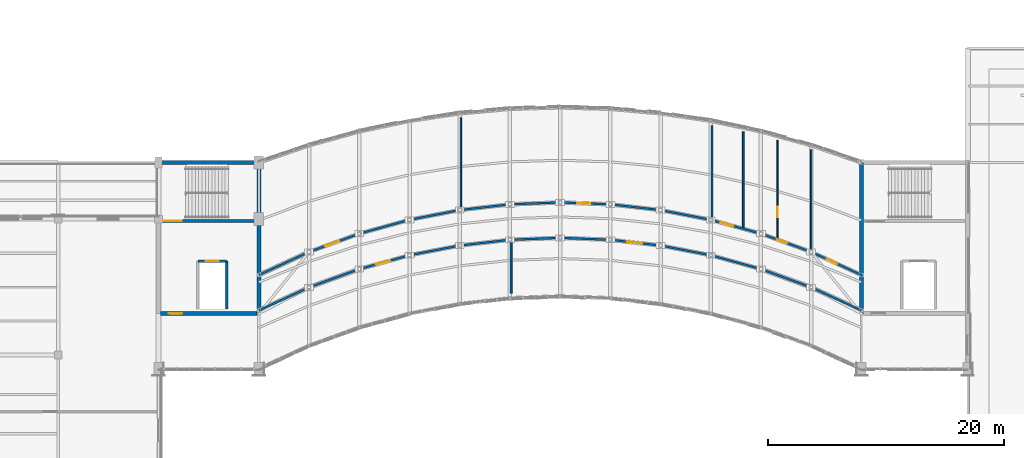
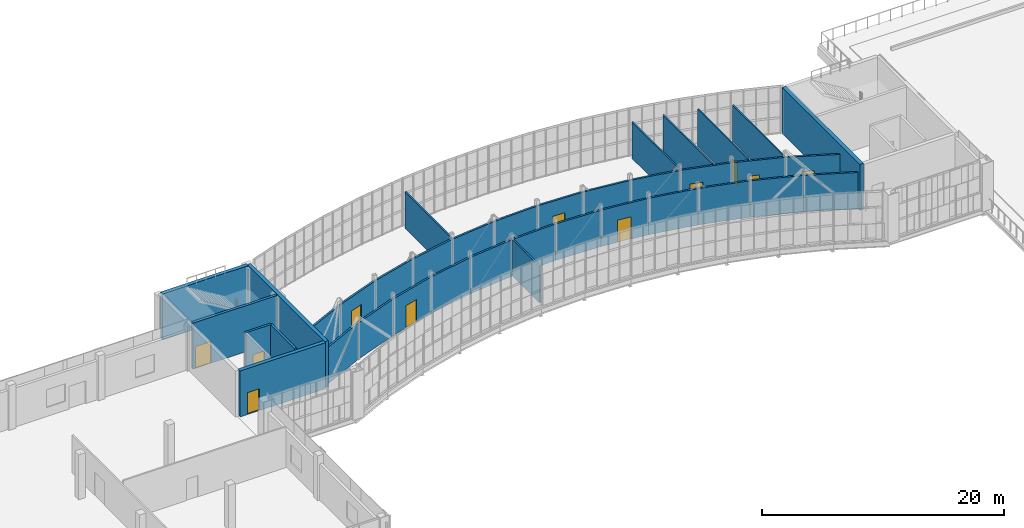
# One storey, part 54 of 66: 37 walls, 11 doors, 11 openings.
"""IFC4 building model written with IfcOpenShell, lengths in metres."""

import ifcopenshell
import ifcopenshell.guid

model = None  # the IFC model being written
_history = None  # IfcOwnerHistory: only IFC2X3 demands one
_inside = {}  # id of a spatial element -> (the spatial element, [elements in it])
_under = {}  # id of a project, library or spatial element -> (it, [spatial elements below it])
_declared = {}  # id of a project -> (the project, [libraries it declares])
_typed = {}  # id of a type object -> (the type object, [elements of that type])
_made_of = {}  # id of a material, layer set ... -> (it, [elements and type objects made of it])


def new_model(schema):
    """Start an empty IFC model of exactly this schema.

    Asked for "IFC4X3", IfcOpenShell would pick the latest addendum, in which some entities
    have other attributes; the version numbers below select the first issue.
    IFC2X3 requires an IfcOwnerHistory on every rooted entity: one is made here for all.
    """
    global model, _history
    if schema == "IFC4X3":
        model = ifcopenshell.file(schema_version=(4, 3, 0, 0))
    else:
        model = ifcopenshell.file(schema=schema)
    _inside.clear()
    _under.clear()
    _declared.clear()
    _typed.clear()
    _made_of.clear()
    _history = None
    if model.schema == "IFC2X3":
        org = make("IfcOrganization", Name="unknown")
        user = make(
            "IfcPersonAndOrganization",
            ThePerson=make("IfcPerson", FamilyName="unknown"),
            TheOrganization=org,
        )
        app = make(
            "IfcApplication",
            ApplicationDeveloper=org,
            Version="unknown",
            ApplicationFullName="unknown",
            ApplicationIdentifier="unknown",
        )
        _history = make(
            "IfcOwnerHistory",
            OwningUser=user,
            OwningApplication=app,
            ChangeAction="ADDED",
            CreationDate=0,
        )
    return model


def make(cls, **values):
    """One entity of the class cls with the attributes given. An attribute that is None is left unset."""
    return model.create_entity(
        cls, **{name: value for name, value in values.items() if value is not None}
    )


def rooted(cls, **values):
    """An entity with a GlobalId (a new one), such as an element, a storey or a relation."""
    return make(cls, GlobalId=ifcopenshell.guid.new(), OwnerHistory=_history, **values)


def si_unit(unit_type, name, prefix=None):
    """IfcSIUnit, for example si_unit("LENGTHUNIT", "METRE", prefix="MILLI")."""
    return make("IfcSIUnit", UnitType=unit_type, Prefix=prefix, Name=name)


def assignment(units):
    """IfcUnitAssignment: the units of a project."""
    return None if units is None else make("IfcUnitAssignment", Units=units)


def point(xyz):
    """IfcCartesianPoint."""
    return None if xyz is None else make("IfcCartesianPoint", Coordinates=xyz)


def direction(xyz):
    """IfcDirection."""
    return None if xyz is None else make("IfcDirection", DirectionRatios=xyz)


def frame(location, z_axis=None, x_axis=None):
    """IfcAxis2Placement3D, a coordinate frame: its origin and axes. An axis left out is left unset."""
    return make(
        "IfcAxis2Placement3D",
        Location=point(location),
        Axis=direction(z_axis),
        RefDirection=direction(x_axis),
    )


def frame_2d(location, x_axis=None):
    """IfcAxis2Placement2D, a coordinate frame in the plane: its origin and x axis."""
    return make(
        "IfcAxis2Placement2D", Location=point(location), RefDirection=direction(x_axis)
    )


def origin():
    """The frame at (0, 0, 0) with its axes left unset."""
    return frame((0.0, 0.0, 0.0))


def place(relative_to, where):
    """IfcLocalPlacement: puts the frame where relative to a parent placement (None: the world)."""
    return make(
        "IfcLocalPlacement", PlacementRelTo=relative_to, RelativePlacement=where
    )


def context(
    kind, dimensions, precision=None, world=None, true_north=None, identifier=None
):
    """IfcGeometricRepresentationContext, for example the 3D "Model" context."""
    return make(
        "IfcGeometricRepresentationContext",
        ContextIdentifier=identifier,
        ContextType=kind,
        CoordinateSpaceDimension=dimensions,
        Precision=precision,
        WorldCoordinateSystem=world,
        TrueNorth=true_north,
    )


def subcontext(parent, identifier, kind, view, scale=None):
    """IfcGeometricRepresentationSubContext, for example "Body" below "Model"."""
    return make(
        "IfcGeometricRepresentationSubContext",
        ContextIdentifier=identifier,
        ContextType=kind,
        ParentContext=parent,
        TargetScale=scale,
        TargetView=view,
    )


def project(units=None, contexts=None):
    """IfcProject with its units and contexts."""
    return rooted(
        "IfcProject",
        Name="project",
        RepresentationContexts=contexts,
        UnitsInContext=assignment(units),
    )


def spatial(cls, under=None, at=None, **own):
    """A site, building, storey or space (cls), placed at a placement, below another one or the project."""
    s = rooted(cls, ObjectPlacement=at, **own)
    if under is not None:
        _under.setdefault(under.id(), (under, []))[1].append(s)
    return s


def profile(cls, at=None, kind="AREA", **sizes):
    """A parametric profile (cls). Its sizes go by their IFC names, for example OverallWidth=200.0."""
    return make(cls, ProfileType=kind, Position=at, **sizes)


def rectangle(**sizes):
    """IfcRectangleProfileDef."""
    return profile("IfcRectangleProfileDef", **sizes)


def extrude(swept, where, along, depth):
    """IfcExtrudedAreaSolid: the profile swept, set in the frame where, extruded along a direction by depth."""
    return make(
        "IfcExtrudedAreaSolid",
        SweptArea=swept,
        Position=where,
        ExtrudedDirection=direction(along),
        Depth=depth,
    )


def shape(context_of_items, identifier, shape_type, items):
    """IfcShapeRepresentation: the items that make up one representation, for example the "Body"."""
    return make(
        "IfcShapeRepresentation",
        ContextOfItems=context_of_items,
        RepresentationIdentifier=identifier,
        RepresentationType=shape_type,
        Items=items,
    )


def material(Name=None, Category=None):
    """IfcMaterial."""
    return make("IfcMaterial", Name=Name, Category=Category)


def layer(
    of_material, thickness, ventilated=None, Name=None, Category=None, Priority=None
):
    """IfcMaterialLayer: one layer of a wall or slab, of a material (None: an air gap)."""
    return make(
        "IfcMaterialLayer",
        Material=of_material,
        LayerThickness=thickness,
        IsVentilated=ventilated,
        Name=Name,
        Category=Category,
        Priority=Priority,
    )


def layer_set(layers, Name=None):
    """IfcMaterialLayerSet."""
    return make("IfcMaterialLayerSet", MaterialLayers=layers, LayerSetName=Name)


def made_of(thing, what):
    """Note that an element or type object is made of a material, layer set ...; save() writes the relation."""
    if what is not None:
        _made_of.setdefault(what.id(), (what, []))[1].append(thing)
    return thing


def type_object(cls, material=None, **own):
    """A type object (cls), such as IfcWallType, which elements share."""
    return made_of(rooted(cls, **own), material)


def element(
    cls,
    number,
    at=None,
    inside=None,
    cuts=None,
    type_object=None,
    material=None,
    context=None,
    identifier="Body",
    shape_type=None,
    held_by="IfcProductDefinitionShape",
    body=None,
    shapes=None,
    **own,
):
    """One element of the class cls, such as IfcWall. Its Tag is "e" and its number.

    at: its placement. inside: the storey or other place that contains it. cuts: it is an
    opening in that element (IfcRelVoidsElement). A single representation is given by context,
    identifier, shape_type and body (its items); several are given by shapes. held_by: the class
    of the entity that holds the representations. save() writes the other relations.
    """
    e = rooted(cls, Tag="e%d" % number, ObjectPlacement=at, **own)
    if body is not None:
        shapes = [shape(context, identifier, shape_type, body)]
    if shapes is not None:
        e.Representation = make(held_by, Representations=shapes)
    if inside is not None:
        _inside.setdefault(inside.id(), (inside, []))[1].append(e)
    if cuts is not None:
        rooted(
            "IfcRelVoidsElement", RelatingBuildingElement=cuts, RelatedOpeningElement=e
        )
    if type_object is not None:
        _typed.setdefault(type_object.id(), (type_object, []))[1].append(e)
    return made_of(e, material)


def fill(opening, filler):
    """IfcRelFillsElement: the door or window that sits in an opening."""
    return rooted(
        "IfcRelFillsElement",
        RelatingOpeningElement=opening,
        RelatedBuildingElement=filler,
    )


def aggregate(whole, parts):
    """IfcRelAggregates: a whole, such as a stair, and the parts it consists of."""
    return rooted("IfcRelAggregates", RelatingObject=whole, RelatedObjects=parts)


def save(model, path):
    """Write the relations noted so far, then the file.

    IfcRelAggregates (storeys below a building ...), IfcRelContainedInSpatialStructure (elements
    in a storey), IfcRelDefinesByType, IfcRelAssociatesMaterial and IfcRelDeclares: one each for
    every whole, place, type object, material and project.
    """
    for whole, parts in _under.values():
        aggregate(whole, parts)
    for where, things in _inside.values():
        rooted(
            "IfcRelContainedInSpatialStructure",
            RelatedElements=things,
            RelatingStructure=where,
        )
    for kind, things in _typed.values():
        rooted("IfcRelDefinesByType", RelatedObjects=things, RelatingType=kind)
    for what, things in _made_of.values():
        rooted("IfcRelAssociatesMaterial", RelatedObjects=things, RelatingMaterial=what)
    for by, libraries in _declared.values():
        rooted("IfcRelDeclares", RelatingContext=by, RelatedDefinitions=libraries)
    model.write(path)


model = new_model("IFC4")

# Units and contexts
model_context = context("Model", 3, precision=1e-05, world=origin(), true_north=direction((0.0, 1.0)))
body_context = subcontext(model_context, "Body", "Model", "MODEL_VIEW")
ifc_project = project(units=[si_unit("LENGTHUNIT", "METRE"), si_unit("AREAUNIT", "SQUARE_METRE"), si_unit("VOLUMEUNIT", "CUBIC_METRE"), si_unit("PLANEANGLEUNIT", "RADIAN"), si_unit("MASSUNIT", "GRAM", prefix="KILO")], contexts=[model_context])

# Site, building, storey
site_placement = place(None, origin())
site = spatial("IfcSite", under=ifc_project, at=site_placement, CompositionType="ELEMENT")
building_placement = place(site_placement, origin())
building = spatial("IfcBuilding", under=site, at=building_placement, Name="Solvikara Media Centre", CompositionType="ELEMENT")
storey_placement = place(building_placement, frame((0.0, 0.0, 19.800048828125)))
storey = spatial("IfcBuildingStorey", under=building, at=storey_placement, Name="L04", CompositionType="ELEMENT", Elevation=19.800048828125)

# Walls
ifc_material_1 = material(Name="Concrete fc' 45 MPa (C45/55)", Category="concrete")
ifc_layer_1 = layer(ifc_material_1, 0.35009765625)
ifc_layer_set_1 = layer_set([ifc_layer_1], Name="Concrete fc' 45 MPa (C45/55)")
wall_type_1 = type_object("IfcWallType", Name="WT-03", PredefinedType="SHEAR", material=ifc_layer_set_1)
wall_1_placement = place(storey_placement, frame((76.5, 24.0, 0.0), z_axis=(0.0, 0.0, 1.0), x_axis=(0.0, 1.0, 0.0)))
element("IfcWall", 1, at=wall_1_placement, inside=storey, type_object=wall_type_1, Name="CW-C3-L04-E", PredefinedType="SHEAR", context=body_context, shape_type="SweptSolid", body=[
    extrude(rectangle(XDim=12.800048828125, YDim=0.35009765625, at=frame_2d((6.39990234375, 0.0))), origin(), (0.0, 0.0, 1.0), 4.639892578125),
])
wall_2_placement = place(storey_placement, frame((68.175048828125, 36.800048828125, 0.0), z_axis=(0.0, 0.0, 1.0), x_axis=(1.0, 0.0, 0.0)))
element("IfcWall", 2, at=wall_2_placement, inside=storey, type_object=wall_type_1, Name="CW-C3-L04-N", PredefinedType="SHEAR", context=body_context, shape_type="SweptSolid", body=[
    extrude(rectangle(XDim=8.14990234375, YDim=0.35009765625, at=frame_2d((4.074951171875, 0.0))), origin(), (0.0, 0.0, 1.0), 4.639892578125),
])

# Wall, opening, door
wall_3_placement = place(storey_placement, frame((68.175048828125, 24.0, 0.0), z_axis=(0.0, 0.0, 1.0), x_axis=(1.0, 0.0, 0.0)))
wall_3 = element("IfcWall", 3, at=wall_3_placement, inside=storey, type_object=wall_type_1, Name="CW-C3-L04-S", PredefinedType="SHEAR", context=body_context, shape_type="SweptSolid", body=[
    extrude(rectangle(XDim=8.14990234375, YDim=0.35009765625, at=frame_2d((4.074951171875, 0.0))), origin(), (0.0, 0.0, 1.0), 4.639892578125),
])
opening_1_placement = place(wall_3_placement, frame((0.699951171875, 0.0, 0.0)))
opening_1 = element("IfcOpeningElement", 4, at=opening_1_placement, cuts=wall_3, Name="Opening D-C3-L04-LOB", PredefinedType="OPENING", context=body_context, shape_type="SweptSolid", body=[
    extrude(rectangle(XDim=1.14990234375, YDim=2.199951171875, at=frame_2d((0.574951171875, 1.10009765625))), frame((0.0, 0.18701171875, 0.0), z_axis=(0.0, -1.0, 0.0), x_axis=(1.0, 0.0, 0.0)), (0.0, 0.0, 1.0), 0.3740234375),
])
ifc_material_2 = material(Name="Insulated fire-rated steel door leaf", Category="steel")
door_type_1 = type_object("IfcDoorType", Name="DT-09", OperationType="NOTDEFINED", PredefinedType="DOOR", material=ifc_material_2)
door_1_placement = place(opening_1_placement, frame((1.14990234375, 0.0, 0.0), z_axis=(0.0, 0.0, 1.0), x_axis=(-1.0, 0.0, 0.0)))
door_1 = element("IfcDoor", 5, at=door_1_placement, inside=storey, type_object=door_type_1, Name="D-C3-L04-LOB", OperationType="SINGLE_SWING_RIGHT", OverallHeight=2.199951171875, OverallWidth=1.14990234375, PredefinedType="DOOR", context=body_context, shape_type="SweptSolid", body=[
    extrude(rectangle(XDim=1.14990234375, YDim=2.199951171875, at=frame_2d((0.574951171875, 1.10009765625))), frame((0.0, 0.02490234375, 0.0), z_axis=(0.0, -1.0, 0.0), x_axis=(1.0, 0.0, 0.0)), (0.0, 0.0, 1.0), 0.050048828125),
])
fill(opening_1, door_1)

# Wall
wall_4_placement = place(storey_placement, frame((127.5, 24.0, 0.0), z_axis=(0.0, 0.0, 1.0), x_axis=(0.0, 1.0, 0.0)))
element("IfcWall", 6, at=wall_4_placement, inside=storey, type_object=wall_type_1, Name="CW-C4-L04-W", PredefinedType="SHEAR", context=body_context, shape_type="SweptSolid", body=[
    extrude(rectangle(XDim=12.800048828125, YDim=0.35009765625, at=frame_2d((6.39990234375, 0.0))), origin(), (0.0, 0.0, 1.0), 4.639892578125),
])

# Wall, opening, door
ifc_layer_2 = layer(ifc_material_1, 0.25)
ifc_layer_set_2 = layer_set([ifc_layer_2], Name="Concrete fc' 45 MPa (C45/55)")
wall_type_2 = type_object("IfcWallType", Name="WT-07", PredefinedType="STANDARD", material=ifc_layer_set_2)
wall_5_placement = place(storey_placement, frame((68.25, 31.85009765625, 0.0), z_axis=(0.0, 0.0, 1.0), x_axis=(1.0, 0.0, 0.0)))
wall_5 = element("IfcWall", 7, at=wall_5_placement, inside=storey, type_object=wall_type_2, Name="CW-C3-L04-SD", PredefinedType="STANDARD", context=body_context, shape_type="SweptSolid", body=[
    extrude(rectangle(XDim=8.0, YDim=0.25, at=frame_2d((4.0, 0.0))), origin(), (0.0, 0.0, 1.0), 4.639892578125),
])
opening_2_placement = place(wall_5_placement, frame((0.199951171875, 0.0, 0.0)))
opening_2 = element("IfcOpeningElement", 8, at=opening_2_placement, cuts=wall_5, Name="Opening D-C3-L04-ST", PredefinedType="OPENING", context=body_context, shape_type="SweptSolid", body=[
    extrude(rectangle(XDim=1.5, YDim=2.199951171875, at=frame_2d((0.75, 1.10009765625))), frame((0.0, 0.136962890625, 0.0), z_axis=(0.0, -1.0, 0.0), x_axis=(1.0, 0.0, 0.0)), (0.0, 0.0, 1.0), 0.27392578125),
])
door_type_2 = type_object("IfcDoorType", Name="DT-08", OperationType="DOUBLE_DOOR_SINGLE_SWING", PredefinedType="DOOR", material=ifc_material_2)
door_2_placement = place(opening_2_placement, frame((1.5, 0.0, 0.0), z_axis=(0.0, 0.0, 1.0), x_axis=(-1.0, 0.0, 0.0)))
door_2 = element("IfcDoor", 9, at=door_2_placement, inside=storey, type_object=door_type_2, Name="D-C3-L04-ST", OperationType="DOUBLE_DOOR_SINGLE_SWING", OverallHeight=2.199951171875, OverallWidth=1.5, PredefinedType="DOOR", context=body_context, shape_type="SweptSolid", body=[
    extrude(rectangle(XDim=1.5, YDim=2.199951171875, at=frame_2d((0.75, 1.10009765625))), frame((0.0, 0.02490234375, 0.0), z_axis=(0.0, -1.0, 0.0), x_axis=(1.0, 0.0, 0.0)), (0.0, 0.0, 1.0), 0.050048828125),
])
fill(opening_2, door_2)

# Wall
ifc_material_3 = material(Name="Fire-rated gypsum and mineral-wool shaft wall assembly")
ifc_layer_3 = layer(ifc_material_3, 0.2099609375)
ifc_layer_set_3 = layer_set([ifc_layer_3], Name="Fire-rated gypsum and mineral-wool shaft wall assembly")
wall_type_3 = type_object("IfcWallType", Name="WT-17", PredefinedType="PARTITIONING", material=ifc_layer_set_3)
wall_6_placement = place(storey_placement, frame((73.77001953125, 24.39990234375, 0.0), z_axis=(0.0, 0.0, 1.0), x_axis=(0.0, 1.0, 0.0)))
element("IfcWall", 10, at=wall_6_placement, inside=storey, type_object=wall_type_3, Name="LW-LF-FF2-L04-E", PredefinedType="PARTITIONING", context=body_context, shape_type="SweptSolid", body=[
    extrude(rectangle(XDim=4.050048828125, YDim=0.2099609375, at=frame_2d((2.02490234375, 0.0))), origin(), (0.0, 0.0, 1.0), 4.639892578125),
])

# Wall, opening, door
wall_7_placement = place(storey_placement, frame((71.330078125, 28.449951171875, 0.0), z_axis=(0.0, 0.0, 1.0), x_axis=(1.0, 0.0, 0.0)))
wall_7 = element("IfcWall", 11, at=wall_7_placement, inside=storey, type_object=wall_type_3, Name="LW-LF-FF2-L04-N", PredefinedType="PARTITIONING", context=body_context, shape_type="SweptSolid", body=[
    extrude(rectangle(XDim=2.43994140625, YDim=0.2099609375, at=frame_2d((1.219970703125, 0.0))), origin(), (0.0, 0.0, 1.0), 4.639892578125),
])
opening_3_placement = place(wall_7_placement, frame((0.669921875, 0.0, 0.0)))
opening_3 = element("IfcOpeningElement", 12, at=opening_3_placement, cuts=wall_7, Name="Opening LD-LF-FF2-L04", PredefinedType="OPENING", context=body_context, shape_type="SweptSolid", body=[
    extrude(rectangle(XDim=1.10009765625, YDim=2.199951171875, at=frame_2d((0.550048828125, 1.10009765625))), frame((0.0, 0.116943359375, 0.0), z_axis=(0.0, -1.0, 0.0), x_axis=(1.0, 0.0, 0.0)), (0.0, 0.0, 1.0), 0.23388671875),
])
door_type_3 = type_object("IfcDoorType", Name="LD-01", OperationType="DOUBLE_DOOR_SLIDING", PredefinedType="DOOR", material=ifc_material_2)
door_3_placement = place(opening_3_placement, origin())
door_3 = element("IfcDoor", 13, at=door_3_placement, inside=storey, type_object=door_type_3, Name="LD-LF-FF2-L04", OperationType="DOUBLE_DOOR_SLIDING", OverallHeight=2.199951171875, OverallWidth=1.10009765625, PredefinedType="DOOR", context=body_context, shape_type="SweptSolid", body=[
    extrude(rectangle(XDim=1.10009765625, YDim=2.199951171875, at=frame_2d((0.550048828125, 1.10009765625))), frame((0.0, 0.02490234375, 0.0), z_axis=(0.0, -1.0, 0.0), x_axis=(1.0, 0.0, 0.0)), (0.0, 0.0, 1.0), 0.050048828125),
])
fill(opening_3, door_3)

# Walls
ifc_layer_4 = layer(ifc_material_3, 0.179931640625)
ifc_layer_set_4 = layer_set([ifc_layer_4], Name="Fire-rated gypsum and mineral-wool shaft wall assembly")
wall_type_4 = type_object("IfcWallType", Name="WT-18", PredefinedType="PARTITIONING", material=ifc_layer_set_4)
for number, where, z_axis, x_axis, name in (
    (14, (76.5, 24.27392578125, 0.0), (0.0, 0.0, 1.0), (0.908484112169, 0.417919391673, 0.0), "PW-L04-107"),
    (15, (76.5, 27.27392578125, 0.0), (0.0, 0.0, 1.0), (0.908484112169, 0.417919391673, 0.0), "PW-L04-108"),
):
    element("IfcWall", number, at=place(storey_placement, frame(where, z_axis=z_axis, x_axis=x_axis)), inside=storey, type_object=wall_type_4, Name=name, PredefinedType="PARTITIONING", context=body_context, shape_type="SweptSolid", body=[
        extrude(rectangle(XDim=4.67822265625, YDim=0.179931640625, at=frame_2d((2.339111328125, 0.0))), origin(), (0.0, 0.0, 1.0), 3.66796875),
    ])
wall_8_placement = place(storey_placement, frame((80.75, 26.22900390625, 0.0), z_axis=(0.0, 0.0, 1.0), x_axis=(0.939831249065, 0.341639024821, 0.0)))
element("IfcWall", 16, at=wall_8_placement, inside=storey, type_object=wall_type_4, Name="PW-L04-109", PredefinedType="PARTITIONING", context=body_context, shape_type="SweptSolid", body=[
    extrude(rectangle(XDim=4.52197265625, YDim=0.179931640625, at=frame_2d((2.260986328125, 0.0))), origin(), (0.0, 0.0, 1.0), 3.66796875),
])

# Wall, opening, door
wall_9_placement = place(storey_placement, frame((80.75, 29.22900390625, 0.0), z_axis=(0.0, 0.0, 1.0), x_axis=(0.939831249065, 0.341639024821, 0.0)))
wall_9 = element("IfcWall", 17, at=wall_9_placement, inside=storey, type_object=wall_type_4, Name="PW-L04-110", PredefinedType="PARTITIONING", context=body_context, shape_type="SweptSolid", body=[
    extrude(rectangle(XDim=4.52197265625, YDim=0.179931640625, at=frame_2d((2.260986328125, 0.0))), origin(), (0.0, 0.0, 1.0), 3.66796875),
])
opening_4_placement = place(wall_9_placement, frame((1.449951171875, 0.0, 0.0)))
opening_4 = element("IfcOpeningElement", 18, at=opening_4_placement, cuts=wall_9, Name="Opening D-L04-110-1", PredefinedType="OPENING", context=body_context, shape_type="SweptSolid", body=[
    extrude(rectangle(XDim=1.25, YDim=2.25, at=frame_2d((0.625, 1.125))), frame((0.0, 0.10205078125, 0.0), z_axis=(0.0, -1.0, 0.0), x_axis=(1.0, 0.0, 0.0)), (0.0, 0.0, 1.0), 0.203857421875),
])
ifc_material_4 = material(Name="Solid core acoustic hardwood timber", Category="wood")
door_type_4 = type_object("IfcDoorType", Name="DT-15", OperationType="NOTDEFINED", PredefinedType="DOOR", material=ifc_material_4)
door_4_placement = place(opening_4_placement, origin())
door_4 = element("IfcDoor", 19, at=door_4_placement, inside=storey, type_object=door_type_4, Name="D-L04-110-1", OperationType="SINGLE_SWING_LEFT", OverallHeight=2.25, OverallWidth=1.25, PredefinedType="DOOR", context=body_context, shape_type="SweptSolid", body=[
    extrude(rectangle(XDim=1.25, YDim=2.25, at=frame_2d((0.625, 1.125))), frame((0.0, 0.02490234375, 0.0), z_axis=(0.0, -1.0, 0.0), x_axis=(1.0, 0.0, 0.0)), (0.0, 0.0, 1.0), 0.050048828125),
])
fill(opening_4, door_4)

wall_10_placement = place(storey_placement, frame((85.0, 27.77392578125, 0.0), z_axis=(0.0, 0.0, 1.0), x_axis=(0.964009749544, 0.265866889221, 0.0)))
wall_10 = element("IfcWall", 20, at=wall_10_placement, inside=storey, type_object=wall_type_4, Name="PW-L04-111", PredefinedType="PARTITIONING", context=body_context, shape_type="SweptSolid", body=[
    extrude(rectangle(XDim=4.40869140625, YDim=0.179931640625, at=frame_2d((2.204345703125, 0.0))), origin(), (0.0, 0.0, 1.0), 3.66796875),
])
opening_5_placement = place(wall_10_placement, frame((1.449951171875, 0.0, 0.0)))
opening_5 = element("IfcOpeningElement", 21, at=opening_5_placement, cuts=wall_10, Name="Opening D-L04-111-1", PredefinedType="OPENING", context=body_context, shape_type="SweptSolid", body=[
    extrude(rectangle(XDim=1.25, YDim=2.25, at=frame_2d((0.625, 1.125))), frame((0.0, 0.10205078125, 0.0), z_axis=(0.0, -1.0, 0.0), x_axis=(1.0, 0.0, 0.0)), (0.0, 0.0, 1.0), 0.203857421875),
])
door_5_placement = place(opening_5_placement, origin())
door_5 = element("IfcDoor", 22, at=door_5_placement, inside=storey, type_object=door_type_4, Name="D-L04-111-1", OperationType="SINGLE_SWING_LEFT", OverallHeight=2.25, OverallWidth=1.25, PredefinedType="DOOR", context=body_context, shape_type="SweptSolid", body=[
    extrude(rectangle(XDim=1.25, YDim=2.25, at=frame_2d((0.625, 1.125))), frame((0.0, 0.02490234375, 0.0), z_axis=(0.0, -1.0, 0.0), x_axis=(1.0, 0.0, 0.0)), (0.0, 0.0, 1.0), 0.050048828125),
])
fill(opening_5, door_5)

# Walls
wall_11_placement = place(storey_placement, frame((85.0, 30.77392578125, 0.0), z_axis=(0.0, 0.0, 1.0), x_axis=(0.964009749544, 0.265866889221, 0.0)))
element("IfcWall", 23, at=wall_11_placement, inside=storey, type_object=wall_type_4, Name="PW-L04-112", PredefinedType="PARTITIONING", context=body_context, shape_type="SweptSolid", body=[
    extrude(rectangle(XDim=4.40869140625, YDim=0.179931640625, at=frame_2d((2.204345703125, 0.0))), origin(), (0.0, 0.0, 1.0), 3.66796875),
])
for number, where, z_axis, x_axis, name in (
    (24, (89.25, 28.946044921875, 0.0), (0.0, 0.0, 1.0), (0.981803941213, 0.189897396029, 0.0), "PW-L04-113"),
    (25, (89.25, 31.946044921875, 0.0), (0.0, 0.0, 1.0), (0.981803941213, 0.189897396029, 0.0), "PW-L04-114"),
):
    element("IfcWall", number, at=place(storey_placement, frame(where, z_axis=z_axis, x_axis=x_axis)), inside=storey, type_object=wall_type_4, Name=name, PredefinedType="PARTITIONING", context=body_context, shape_type="SweptSolid", body=[
        extrude(rectangle(XDim=4.328857421875, YDim=0.179931640625, at=frame_2d((2.16455078125, 0.0))), origin(), (0.0, 0.0, 1.0), 3.66796875),
    ])
for number, where, z_axis, x_axis, name in (
    (26, (93.5, 29.76806640625, 0.0), (0.0, 0.0, 1.0), (0.993503575407, 0.113800903571, 0.0), "PW-L04-115"),
    (27, (93.5, 32.76806640625, 0.0), (0.0, 0.0, 1.0), (0.993503575407, 0.113800903571, 0.0), "PW-L04-116"),
):
    element("IfcWall", number, at=place(storey_placement, frame(where, z_axis=z_axis, x_axis=x_axis)), inside=storey, type_object=wall_type_4, Name=name, PredefinedType="PARTITIONING", context=body_context, shape_type="SweptSolid", body=[
        extrude(rectangle(XDim=4.27783203125, YDim=0.179931640625, at=frame_2d((2.138916015625, 0.0))), origin(), (0.0, 0.0, 1.0), 3.66796875),
    ])
for number, where, z_axis, x_axis, name in (
    (28, (97.75, 30.2548828125, 0.0), (0.0, 0.0, 1.0), (0.999273334025, 0.038115664855, 0.0), "PW-L04-117"),
    (29, (97.75, 33.2548828125, 0.0), (0.0, 0.0, 1.0), (0.999273334025, 0.038115664855, 0.0), "PW-L04-118"),
    (30, (102.0, 30.4169921875, 0.0), (0.0, 0.0, 1.0), (0.999273334025, -0.038115664855, 0.0), "PW-L04-119"),
):
    element("IfcWall", number, at=place(storey_placement, frame(where, z_axis=z_axis, x_axis=x_axis)), inside=storey, type_object=wall_type_4, Name=name, PredefinedType="PARTITIONING", context=body_context, shape_type="SweptSolid", body=[
        extrude(rectangle(XDim=4.253173828125, YDim=0.179931640625, at=frame_2d((2.12646484375, 0.0))), origin(), (0.0, 0.0, 1.0), 3.66796875),
    ])

# Wall, opening, door
wall_12_placement = place(storey_placement, frame((102.0, 33.4169921875, 0.0), z_axis=(0.0, 0.0, 1.0), x_axis=(0.999273334025, -0.038115664855, 0.0)))
wall_12 = element("IfcWall", 31, at=wall_12_placement, inside=storey, type_object=wall_type_4, Name="PW-L04-120", PredefinedType="PARTITIONING", context=body_context, shape_type="SweptSolid", body=[
    extrude(rectangle(XDim=4.253173828125, YDim=0.179931640625, at=frame_2d((2.12646484375, 0.0))), origin(), (0.0, 0.0, 1.0), 3.66796875),
])
opening_6_placement = place(wall_12_placement, frame((1.449951171875, 0.0, 0.0)))
opening_6 = element("IfcOpeningElement", 32, at=opening_6_placement, cuts=wall_12, Name="Opening D-L04-120-1", PredefinedType="OPENING", context=body_context, shape_type="SweptSolid", body=[
    extrude(rectangle(XDim=1.10009765625, YDim=2.14990234375, at=frame_2d((0.550048828125, 1.074951171875))), frame((0.0, 0.10205078125, 0.0), z_axis=(0.0, -1.0, 0.0), x_axis=(1.0, 0.0, 0.0)), (0.0, 0.0, 1.0), 0.203857421875),
])
door_type_5 = type_object("IfcDoorType", Name="DT-19", OperationType="NOTDEFINED", PredefinedType="DOOR", material=ifc_material_4)
door_6_placement = place(opening_6_placement, origin())
door_6 = element("IfcDoor", 33, at=door_6_placement, inside=storey, type_object=door_type_5, Name="D-L04-120-1", OperationType="SINGLE_SWING_RIGHT", OverallHeight=2.14990234375, OverallWidth=1.10009765625, PredefinedType="DOOR", context=body_context, shape_type="SweptSolid", body=[
    extrude(rectangle(XDim=1.10009765625, YDim=2.14990234375, at=frame_2d((0.550048828125, 1.074951171875))), frame((0.0, 0.02490234375, 0.0), z_axis=(0.0, -1.0, 0.0), x_axis=(1.0, 0.0, 0.0)), (0.0, 0.0, 1.0), 0.050048828125),
])
fill(opening_6, door_6)

wall_13_placement = place(storey_placement, frame((106.25, 30.2548828125, 0.0), z_axis=(0.0, 0.0, 1.0), x_axis=(0.993503575407, -0.113800903571, 0.0)))
wall_13 = element("IfcWall", 34, at=wall_13_placement, inside=storey, type_object=wall_type_4, Name="PW-L04-121", PredefinedType="PARTITIONING", context=body_context, shape_type="SweptSolid", body=[
    extrude(rectangle(XDim=4.27783203125, YDim=0.179931640625, at=frame_2d((2.138916015625, 0.0))), origin(), (0.0, 0.0, 1.0), 3.66796875),
])
opening_7_placement = place(wall_13_placement, frame((1.449951171875, 0.0, 0.0)))
opening_7 = element("IfcOpeningElement", 35, at=opening_7_placement, cuts=wall_13, Name="Opening D-L04-121-1", PredefinedType="OPENING", context=body_context, shape_type="SweptSolid", body=[
    extrude(rectangle(XDim=1.25, YDim=2.25, at=frame_2d((0.625, 1.125))), frame((0.0, 0.10205078125, 0.0), z_axis=(0.0, -1.0, 0.0), x_axis=(1.0, 0.0, 0.0)), (0.0, 0.0, 1.0), 0.203857421875),
])
door_7_placement = place(opening_7_placement, origin())
door_7 = element("IfcDoor", 36, at=door_7_placement, inside=storey, type_object=door_type_4, Name="D-L04-121-1", OperationType="SINGLE_SWING_RIGHT", OverallHeight=2.25, OverallWidth=1.25, PredefinedType="DOOR", context=body_context, shape_type="SweptSolid", body=[
    extrude(rectangle(XDim=1.25, YDim=2.25, at=frame_2d((0.625, 1.125))), frame((0.0, 0.02490234375, 0.0), z_axis=(0.0, -1.0, 0.0), x_axis=(1.0, 0.0, 0.0)), (0.0, 0.0, 1.0), 0.050048828125),
])
fill(opening_7, door_7)

# Walls
wall_14_placement = place(storey_placement, frame((106.25, 33.2548828125, 0.0), z_axis=(0.0, 0.0, 1.0), x_axis=(0.993503575407, -0.113800903571, 0.0)))
element("IfcWall", 37, at=wall_14_placement, inside=storey, type_object=wall_type_4, Name="PW-L04-122", PredefinedType="PARTITIONING", context=body_context, shape_type="SweptSolid", body=[
    extrude(rectangle(XDim=4.27783203125, YDim=0.179931640625, at=frame_2d((2.138916015625, 0.0))), origin(), (0.0, 0.0, 1.0), 3.66796875),
])
for number, where, z_axis, x_axis, name in (
    (38, (110.5, 29.76806640625, 0.0), (0.0, 0.0, 1.0), (0.981803941213, -0.189897396029, 0.0), "PW-L04-123"),
    (39, (110.5, 32.76806640625, 0.0), (0.0, 0.0, 1.0), (0.981803941213, -0.189897396029, 0.0), "PW-L04-124"),
):
    element("IfcWall", number, at=place(storey_placement, frame(where, z_axis=z_axis, x_axis=x_axis)), inside=storey, type_object=wall_type_4, Name=name, PredefinedType="PARTITIONING", context=body_context, shape_type="SweptSolid", body=[
        extrude(rectangle(XDim=4.328857421875, YDim=0.179931640625, at=frame_2d((2.16455078125, 0.0))), origin(), (0.0, 0.0, 1.0), 3.66796875),
    ])
wall_15_placement = place(storey_placement, frame((114.75, 28.946044921875, 0.0), z_axis=(0.0, 0.0, 1.0), x_axis=(0.964009749544, -0.265866889221, 0.0)))
element("IfcWall", 40, at=wall_15_placement, inside=storey, type_object=wall_type_4, Name="PW-L04-125", PredefinedType="PARTITIONING", context=body_context, shape_type="SweptSolid", body=[
    extrude(rectangle(XDim=4.40869140625, YDim=0.179931640625, at=frame_2d((2.204345703125, 0.0))), origin(), (0.0, 0.0, 1.0), 3.66796875),
])

# Wall, opening, door
wall_16_placement = place(storey_placement, frame((114.75, 31.946044921875, 0.0), z_axis=(0.0, 0.0, 1.0), x_axis=(0.964009749544, -0.265866889221, 0.0)))
wall_16 = element("IfcWall", 41, at=wall_16_placement, inside=storey, type_object=wall_type_4, Name="PW-L04-126", PredefinedType="PARTITIONING", context=body_context, shape_type="SweptSolid", body=[
    extrude(rectangle(XDim=4.40869140625, YDim=0.179931640625, at=frame_2d((2.204345703125, 0.0))), origin(), (0.0, 0.0, 1.0), 3.66796875),
])
opening_8_placement = place(wall_16_placement, frame((0.85009765625, 0.0, 0.0)))
opening_8 = element("IfcOpeningElement", 42, at=opening_8_placement, cuts=wall_16, Name="Opening D-L04-126-1", PredefinedType="OPENING", context=body_context, shape_type="SweptSolid", body=[
    extrude(rectangle(XDim=1.10009765625, YDim=2.14990234375, at=frame_2d((0.550048828125, 1.074951171875))), frame((0.0, 0.10205078125, 0.0), z_axis=(0.0, -1.0, 0.0), x_axis=(1.0, 0.0, 0.0)), (0.0, 0.0, 1.0), 0.203857421875),
])
door_8_placement = place(opening_8_placement, origin())
door_8 = element("IfcDoor", 43, at=door_8_placement, inside=storey, type_object=door_type_5, Name="D-L04-126-1", OperationType="SINGLE_SWING_LEFT", OverallHeight=2.14990234375, OverallWidth=1.10009765625, PredefinedType="DOOR", context=body_context, shape_type="SweptSolid", body=[
    extrude(rectangle(XDim=1.10009765625, YDim=2.14990234375, at=frame_2d((0.550048828125, 1.074951171875))), frame((0.0, 0.02490234375, 0.0), z_axis=(0.0, -1.0, 0.0), x_axis=(1.0, 0.0, 0.0)), (0.0, 0.0, 1.0), 0.050048828125),
])
fill(opening_8, door_8)

# Wall
wall_17_placement = place(storey_placement, frame((119.0, 27.77392578125, 0.0), z_axis=(0.0, 0.0, 1.0), x_axis=(0.939831249065, -0.341639024821, 0.0)))
element("IfcWall", 44, at=wall_17_placement, inside=storey, type_object=wall_type_4, Name="PW-L04-127", PredefinedType="PARTITIONING", context=body_context, shape_type="SweptSolid", body=[
    extrude(rectangle(XDim=4.52197265625, YDim=0.179931640625, at=frame_2d((2.260986328125, 0.0))), origin(), (0.0, 0.0, 1.0), 3.66796875),
])

# Wall, opening, door
wall_18_placement = place(storey_placement, frame((119.0, 30.77392578125, 0.0), z_axis=(0.0, 0.0, 1.0), x_axis=(0.939831249065, -0.341639024821, 0.0)))
wall_18 = element("IfcWall", 45, at=wall_18_placement, inside=storey, type_object=wall_type_4, Name="PW-L04-128", PredefinedType="PARTITIONING", context=body_context, shape_type="SweptSolid", body=[
    extrude(rectangle(XDim=4.52197265625, YDim=0.179931640625, at=frame_2d((2.260986328125, 0.0))), origin(), (0.0, 0.0, 1.0), 3.66796875),
])
opening_9_placement = place(wall_18_placement, frame((1.449951171875, 0.0, 0.0)))
opening_9 = element("IfcOpeningElement", 46, at=opening_9_placement, cuts=wall_18, Name="Opening D-L04-128-1", PredefinedType="OPENING", context=body_context, shape_type="SweptSolid", body=[
    extrude(rectangle(XDim=0.89990234375, YDim=2.14990234375, at=frame_2d((0.449951171875, 1.074951171875))), frame((0.0, 0.10205078125, 0.0), z_axis=(0.0, -1.0, 0.0), x_axis=(1.0, 0.0, 0.0)), (0.0, 0.0, 1.0), 0.203857421875),
])
door_type_6 = type_object("IfcDoorType", Name="DT-18", OperationType="NOTDEFINED", PredefinedType="DOOR", material=ifc_material_4)
door_9_placement = place(opening_9_placement, origin())
door_9 = element("IfcDoor", 47, at=door_9_placement, inside=storey, type_object=door_type_6, Name="D-L04-128-1", OperationType="SINGLE_SWING_RIGHT", OverallHeight=2.14990234375, OverallWidth=0.89990234375, PredefinedType="DOOR", context=body_context, shape_type="SweptSolid", body=[
    extrude(rectangle(XDim=0.89990234375, YDim=2.14990234375, at=frame_2d((0.449951171875, 1.074951171875))), frame((0.0, 0.02490234375, 0.0), z_axis=(0.0, -1.0, 0.0), x_axis=(1.0, 0.0, 0.0)), (0.0, 0.0, 1.0), 0.050048828125),
])
fill(opening_9, door_9)

# Wall
wall_19_placement = place(storey_placement, frame((123.25, 26.22900390625, 0.0), z_axis=(0.0, 0.0, 1.0), x_axis=(0.908484112169, -0.417919391673, 0.0)))
element("IfcWall", 48, at=wall_19_placement, inside=storey, type_object=wall_type_4, Name="PW-L04-129", PredefinedType="PARTITIONING", context=body_context, shape_type="SweptSolid", body=[
    extrude(rectangle(XDim=4.67822265625, YDim=0.179931640625, at=frame_2d((2.339111328125, 0.0))), origin(), (0.0, 0.0, 1.0), 3.66796875),
])

# Wall, opening, door
wall_20_placement = place(storey_placement, frame((123.25, 29.22900390625, 0.0), z_axis=(0.0, 0.0, 1.0), x_axis=(0.908484112169, -0.417919391673, 0.0)))
wall_20 = element("IfcWall", 49, at=wall_20_placement, inside=storey, type_object=wall_type_4, Name="PW-L04-130", PredefinedType="PARTITIONING", context=body_context, shape_type="SweptSolid", body=[
    extrude(rectangle(XDim=4.67822265625, YDim=0.179931640625, at=frame_2d((2.339111328125, 0.0))), origin(), (0.0, 0.0, 1.0), 3.66796875),
])
opening_10_placement = place(wall_20_placement, frame((1.449951171875, 0.0, 0.0)))
opening_10 = element("IfcOpeningElement", 50, at=opening_10_placement, cuts=wall_20, Name="Opening D-L04-130-1", PredefinedType="OPENING", context=body_context, shape_type="SweptSolid", body=[
    extrude(rectangle(XDim=0.949951171875, YDim=2.14990234375, at=frame_2d((0.47509765625, 1.074951171875))), frame((0.0, 0.10205078125, 0.0), z_axis=(0.0, -1.0, 0.0), x_axis=(1.0, 0.0, 0.0)), (0.0, 0.0, 1.0), 0.203857421875),
])
door_type_7 = type_object("IfcDoorType", Name="DT-17", OperationType="NOTDEFINED", PredefinedType="DOOR", material=ifc_material_4)
door_10_placement = place(opening_10_placement, frame((0.949951171875, 0.0, 0.0), z_axis=(0.0, 0.0, 1.0), x_axis=(-1.0, 0.0, 0.0)))
door_10 = element("IfcDoor", 51, at=door_10_placement, inside=storey, type_object=door_type_7, Name="D-L04-130-1", OperationType="SINGLE_SWING_LEFT", OverallHeight=2.14990234375, OverallWidth=0.949951171875, PredefinedType="DOOR", context=body_context, shape_type="SweptSolid", body=[
    extrude(rectangle(XDim=0.949951171875, YDim=2.14990234375, at=frame_2d((0.47509765625, 1.074951171875))), frame((0.0, 0.02490234375, 0.0), z_axis=(0.0, -1.0, 0.0), x_axis=(1.0, 0.0, 0.0)), (0.0, 0.0, 1.0), 0.050048828125),
])
fill(opening_10, door_10)

# Walls
ifc_material_5 = material(Name="Double-stud acoustic gypsum partition assembly")
ifc_layer_5 = layer(ifc_material_5, 0.159912109375)
ifc_layer_set_5 = layer_set([ifc_layer_5], Name="Double-stud acoustic gypsum partition assembly")
wall_type_5 = type_object("IfcWallType", Name="WT-19", PredefinedType="PARTITIONING", material=ifc_layer_set_5)
wall_21_placement = place(storey_placement, frame((97.85009765625, 25.712890625, 0.0), z_axis=(0.0, 0.0, 1.0), x_axis=(0.0, 1.0, 0.0)))
element("IfcWall", 52, at=wall_21_placement, inside=storey, type_object=wall_type_5, Name="PW-L04-131", PredefinedType="PARTITIONING", context=body_context, shape_type="SweptSolid", body=[
    extrude(rectangle(XDim=4.5, YDim=0.159912109375, at=frame_2d((2.25, 0.0))), origin(), (0.0, 0.0, 1.0), 3.66796875),
])
ifc_layer_6 = layer(ifc_material_5, 0.139892578125)
ifc_layer_set_6 = layer_set([ifc_layer_6], Name="Double-stud acoustic gypsum partition assembly")
wall_type_6 = type_object("IfcWallType", Name="WT-20", PredefinedType="PARTITIONING", material=ifc_layer_set_6)
wall_22_placement = place(storey_placement, frame((93.60009765625, 32.8330078125, 0.0), z_axis=(0.0, 0.0, 1.0), x_axis=(0.0, 1.0, 0.0)))
element("IfcWall", 53, at=wall_22_placement, inside=storey, type_object=wall_type_6, Name="PW-L04-132", PredefinedType="PARTITIONING", context=body_context, shape_type="SweptSolid", body=[
    extrude(rectangle(XDim=7.741943359375, YDim=0.139892578125, at=frame_2d((3.87109375, 0.0))), origin(), (0.0, 0.0, 1.0), 3.66796875),
])
wall_23_placement = place(storey_placement, frame((114.85009765625, 31.972900390625, 0.0), z_axis=(0.0, 0.0, 1.0), x_axis=(0.0, 1.0, 0.0)))
element("IfcWall", 54, at=wall_23_placement, inside=storey, type_object=wall_type_6, Name="PW-L04-133", PredefinedType="PARTITIONING", context=body_context, shape_type="SweptSolid", body=[
    extrude(rectangle(XDim=7.93798828125, YDim=0.139892578125, at=frame_2d((3.968994140625, 0.0))), origin(), (0.0, 0.0, 1.0), 3.66796875),
])
wall_24_placement = place(storey_placement, frame((117.5, 31.279052734375, 0.0), z_axis=(0.0, 0.0, 1.0), x_axis=(0.0, 1.0, 0.0)))
element("IfcWall", 55, at=wall_24_placement, inside=storey, type_object=wall_type_6, Name="PW-L04-134", PredefinedType="PARTITIONING", context=body_context, shape_type="SweptSolid", body=[
    extrude(rectangle(XDim=8.099853515625, YDim=0.139892578125, at=frame_2d((4.0498046875, 0.0))), origin(), (0.0, 0.0, 1.0), 3.76806640625),
])

# Wall, opening, door
ifc_layer_7 = layer(ifc_material_5, 0.1201171875)
ifc_layer_set_7 = layer_set([ifc_layer_7], Name="Double-stud acoustic gypsum partition assembly")
wall_type_7 = type_object("IfcWallType", Name="WT-21", PredefinedType="PARTITIONING", material=ifc_layer_set_7)
wall_25_placement = place(storey_placement, frame((120.39990234375, 30.35791015625, 0.0), z_axis=(0.0, 0.0, 1.0), x_axis=(0.0, 1.0, 0.0)))
wall_25 = element("IfcWall", 56, at=wall_25_placement, inside=storey, type_object=wall_type_7, Name="PW-L04-135", PredefinedType="PARTITIONING", context=body_context, shape_type="SweptSolid", body=[
    extrude(rectangle(XDim=8.318115234375, YDim=0.1201171875, at=frame_2d((4.1591796875, 0.0))), origin(), (0.0, 0.0, 1.0), 3.76806640625),
])
opening_11_placement = place(wall_25_placement, frame((1.800048828125, 0.0, 0.0)))
opening_11 = element("IfcOpeningElement", 57, at=opening_11_placement, cuts=wall_25, Name="Opening D-L04-135-1", PredefinedType="OPENING", context=body_context, shape_type="SweptSolid", body=[
    extrude(rectangle(XDim=0.89990234375, YDim=2.14990234375, at=frame_2d((0.449951171875, 1.074951171875))), frame((0.0, 0.072021484375, 0.0), z_axis=(0.0, -1.0, 0.0), x_axis=(1.0, 0.0, 0.0)), (0.0, 0.0, 1.0), 0.14404296875),
])
door_11_placement = place(opening_11_placement, origin())
door_11 = element("IfcDoor", 58, at=door_11_placement, inside=storey, type_object=door_type_6, Name="D-L04-135-1", OperationType="SINGLE_SWING_LEFT", OverallHeight=2.14990234375, OverallWidth=0.89990234375, PredefinedType="DOOR", context=body_context, shape_type="SweptSolid", body=[
    extrude(rectangle(XDim=0.89990234375, YDim=2.14990234375, at=frame_2d((0.449951171875, 1.074951171875))), frame((0.0, 0.02490234375, 0.0), z_axis=(0.0, -1.0, 0.0), x_axis=(1.0, 0.0, 0.0)), (0.0, 0.0, 1.0), 0.050048828125),
])
fill(opening_11, door_11)

# Wall
wall_26_placement = place(storey_placement, frame((123.25, 29.279052734375, 0.0), z_axis=(0.0, 0.0, 1.0), x_axis=(0.0, 1.0, 0.0)))
element("IfcWall", 59, at=wall_26_placement, inside=storey, type_object=wall_type_7, Name="PW-L04-136", PredefinedType="PARTITIONING", context=body_context, shape_type="SweptSolid", body=[
    extrude(rectangle(XDim=8.5810546875, YDim=0.1201171875, at=frame_2d((4.29052734375, 0.0))), origin(), (0.0, 0.0, 1.0), 3.66796875),
])

save(model, "model.ifc")
